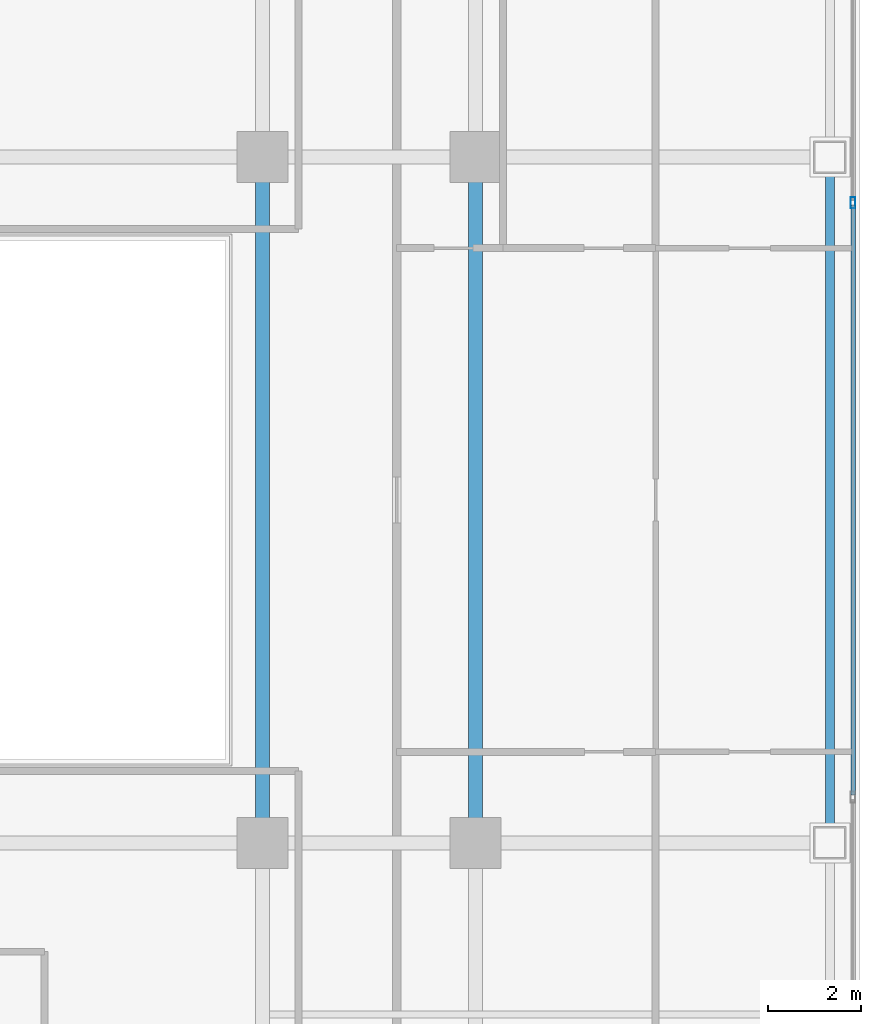
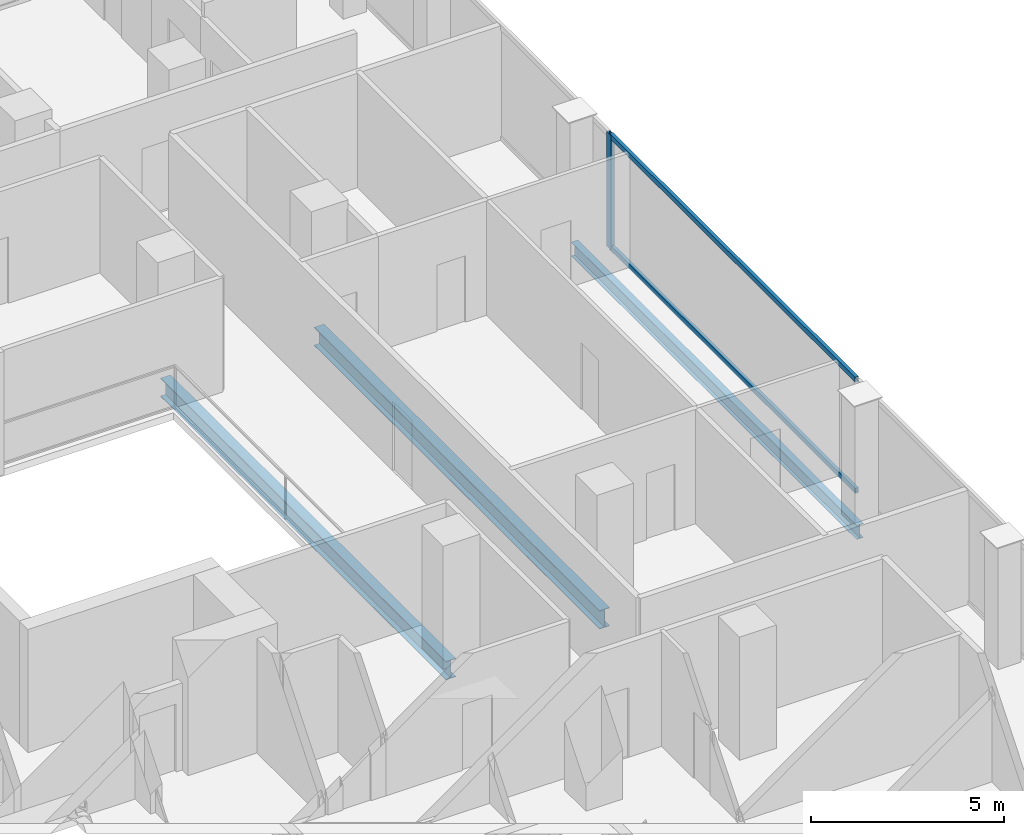
# One storey, part 11 of 27: 3 beams, 3 members, 1 element without a shape of its own.
"""IFC4 building model written with IfcOpenShell, lengths in metres."""

from ifc_helpers import new_model, si_unit, direction, frame, origin, origin_2d, place, context, subcontext, project, spatial, hollow_rectangle, i_section, extrude, material, layer, layer_set, material_profile, profile_set, type_object, element, aggregate, save


model = new_model("IFC4")

# Units and contexts
model_context = context("Model", 3, precision=1e-05, world=origin(), true_north=direction((0.0, 1.0)))
body_context = subcontext(model_context, "Body", "Model", "MODEL_VIEW")
ifc_project = project(units=[si_unit("LENGTHUNIT", "METRE"), si_unit("AREAUNIT", "SQUARE_METRE"), si_unit("VOLUMEUNIT", "CUBIC_METRE"), si_unit("PLANEANGLEUNIT", "RADIAN"), si_unit("MASSUNIT", "GRAM", prefix="KILO")], contexts=[model_context])

# Site, building, storey
site_placement = place(None, origin())
site = spatial("IfcSite", under=ifc_project, at=site_placement, CompositionType="ELEMENT")
building_placement = place(site_placement, origin())
building = spatial("IfcBuilding", under=site, at=building_placement, Name="Khorvyn Point Tower", CompositionType="ELEMENT")
storey_placement = place(building_placement, frame((0.0, 0.0, 164.10009765625)))
storey = spatial("IfcBuildingStorey", under=building, at=storey_placement, Name="L40", CompositionType="ELEMENT", Elevation=164.10009765625)

# Curtain wall, members
ifc_material_1 = material(Name="Anodised aluminium 6063-T6 and laminated Low-E glass", Category="aluminium")
ifc_layer = layer(ifc_material_1, 0.18994140625)
ifc_layer_set = layer_set([ifc_layer], Name="Stick-Built Acoustic Curtain Wall CW-SYS-03")
curtain_wall_type = type_object("IfcCurtainWallType", Name="Stick-Built Acoustic Curtain Wall CW-SYS-03", PredefinedType="NOTDEFINED", material=ifc_layer_set)
curtain_wall_placement = place(storey_placement, origin())
curtain_wall = element("IfcCurtainWall", 1, at=curtain_wall_placement, inside=storey, type_object=curtain_wall_type, Name="Curtain Wall", PredefinedType="NOTDEFINED")
ifc_material_2 = material(Name="Anodised aluminium 6063-T6", Category="aluminium")
ifc_material_profile_1 = material_profile(ifc_material_2, hollow_rectangle(XDim=0.10009765625, YDim=0.239990234375, WallThickness=0.0048828125, at=origin_2d()))
ifc_profile_set_1 = profile_set([ifc_material_profile_1], Name="Anodised aluminium 6063-T6 ALU-MUL-100x240")
member_type_1 = type_object("IfcMemberType", Name="Anodised Aluminium 6063-T6 Mullion ALU-MUL-100x240", PredefinedType="MULLION", material=ifc_profile_set_1)
member_1_placement = place(storey_placement, frame((27.550048828125, 6.416748046875, 0.0), z_axis=(0.0, 0.0, 1.0), x_axis=(1.0, 0.0, 0.0)))
member_1 = element("IfcMember", 2, at=member_1_placement, type_object=member_type_1, Name="Transom", PredefinedType="MULLION", context=body_context, shape_type="SweptSolid", body=[
    extrude(hollow_rectangle(XDim=0.10009765625, YDim=0.239990234375, WallThickness=0.0048828125, at=origin_2d()), origin(), (0.0, 0.0, 1.0), 3.619873046875),
])
ifc_material_profile_2 = material_profile(ifc_material_2, hollow_rectangle(XDim=0.10009765625, YDim=0.159912109375, WallThickness=0.00439453125, at=origin_2d()))
ifc_profile_set_2 = profile_set([ifc_material_profile_2], Name="Anodised aluminium 6063-T6 ALU-TRN-100x160")
member_type_2 = type_object("IfcMemberType", Name="Anodised Aluminium 6063-T6 Transom ALU-TRN-100x160", PredefinedType="USERDEFINED", material=ifc_profile_set_2)
member_2_placement = place(storey_placement, frame((27.550048828125, 6.36669921875, 0.0498046875), z_axis=(0.0, -1.0, 0.0), x_axis=(1.0, 0.0, 0.0)))
member_2 = element("IfcMember", 3, at=member_2_placement, type_object=member_type_2, Name="Transom", ObjectType="TRANSOM", PredefinedType="USERDEFINED", context=body_context, shape_type="SweptSolid", body=[
    extrude(hollow_rectangle(XDim=0.10009765625, YDim=0.159912109375, WallThickness=0.00439453125, at=origin_2d()), origin(), (0.0, 0.0, 1.0), 12.7333984375),
])
member_3_placement = place(storey_placement, frame((27.550048828125, 6.36669921875, 3.56982421875), z_axis=(0.0, -1.0, 0.0), x_axis=(1.0, 0.0, 0.0)))
member_3 = element("IfcMember", 4, at=member_3_placement, type_object=member_type_2, Name="Transom", ObjectType="TRANSOM", PredefinedType="USERDEFINED", context=body_context, shape_type="SweptSolid", body=[
    extrude(hollow_rectangle(XDim=0.10009765625, YDim=0.159912109375, WallThickness=0.00439453125, at=origin_2d()), origin(), (0.0, 0.0, 1.0), 12.7333984375),
])
aggregate(curtain_wall, [member_1, member_2, member_3])

# Beams
ifc_material_3 = material(Name="Steel S355", Category="steel")
ifc_material_profile_3 = material_profile(ifc_material_3, i_section(OverallWidth=0.300048828125, OverallDepth=0.587890625, WebThickness=0.011962890625, FlangeThickness=0.02001953125, at=origin_2d()))
ifc_profile_set_3 = profile_set([ifc_material_profile_3], Name="Steel S355 H588x300x12x20")
beam_type_1 = type_object("IfcBeamType", Name="Steel S355 Beam H588x300x12x20", PredefinedType="BEAM", material=ifc_profile_set_3)
for number, where, z_axis, x_axis, name in (
    (5, (14.800048828125, -7.39990234375, -0.51416015625), (0.0, 1.0, 0.0), (-1.0, 0.0, 0.0), "Beam"),
    (6, (19.39990234375, -7.39990234375, -0.51416015625), (0.0, 1.0, 0.0), (-1.0, 0.0, 0.0), "Beam"),
):
    element("IfcBeam", number, at=place(storey_placement, frame(where, z_axis=z_axis, x_axis=x_axis)), inside=storey, type_object=beam_type_1, Name=name, PredefinedType="BEAM", context=body_context, shape_type="SweptSolid", body=[
        extrude(i_section(OverallWidth=0.300048828125, OverallDepth=0.587890625, WebThickness=0.011962890625, FlangeThickness=0.02001953125, at=origin_2d()), origin(), (0.0, 0.0, 1.0), 14.7998046875),
    ])
ifc_material_profile_4 = material_profile(ifc_material_3, i_section(OverallWidth=0.199951171875, OverallDepth=0.449951171875, WebThickness=0.009033203125, FlangeThickness=0.013916015625, at=origin_2d()))
ifc_profile_set_4 = profile_set([ifc_material_profile_4], Name="Steel S355 H450x200x9x14")
beam_type_2 = type_object("IfcBeamType", Name="Steel S355 Spandrel H450x200x9x14", PredefinedType="SPANDREL", material=ifc_profile_set_4)
beam_placement = place(storey_placement, frame((27.050048828125, -7.39990234375, -0.445068359375), z_axis=(0.0, 1.0, 0.0), x_axis=(-1.0, 0.0, 0.0)))
element("IfcBeam", 7, at=beam_placement, inside=storey, type_object=beam_type_2, Name="Beam", PredefinedType="SPANDREL", context=body_context, shape_type="SweptSolid", body=[
    extrude(i_section(OverallWidth=0.199951171875, OverallDepth=0.449951171875, WebThickness=0.009033203125, FlangeThickness=0.013916015625, at=origin_2d()), origin(), (0.0, 0.0, 1.0), 14.7998046875),
])

save(model, "model.ifc")
